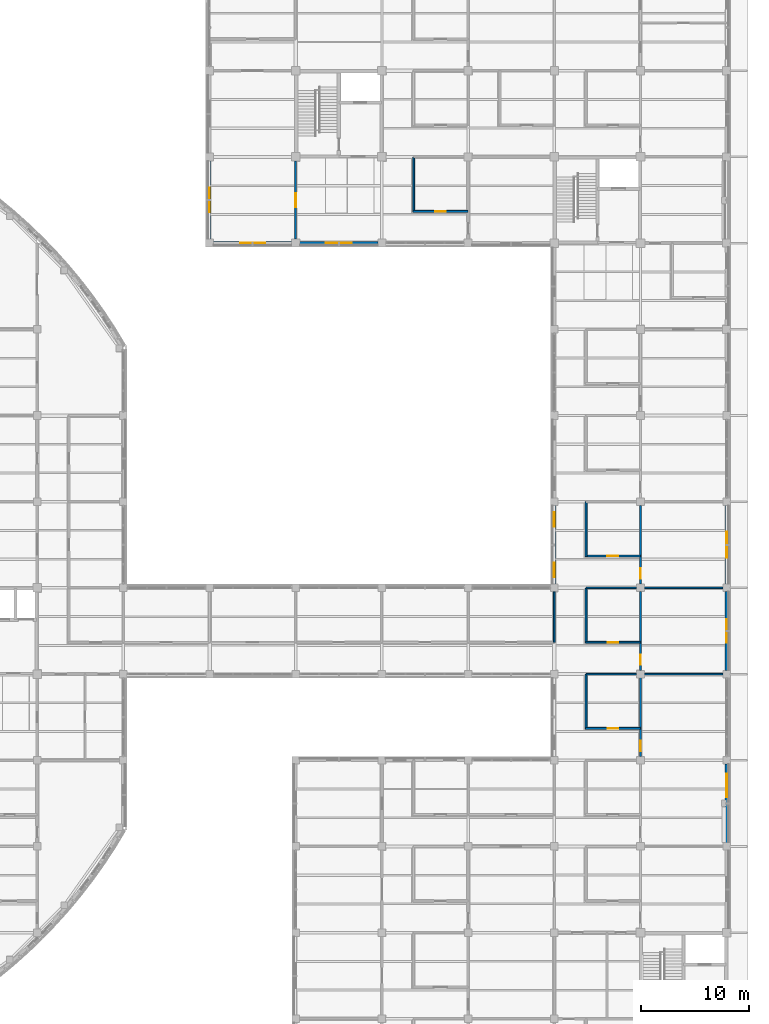
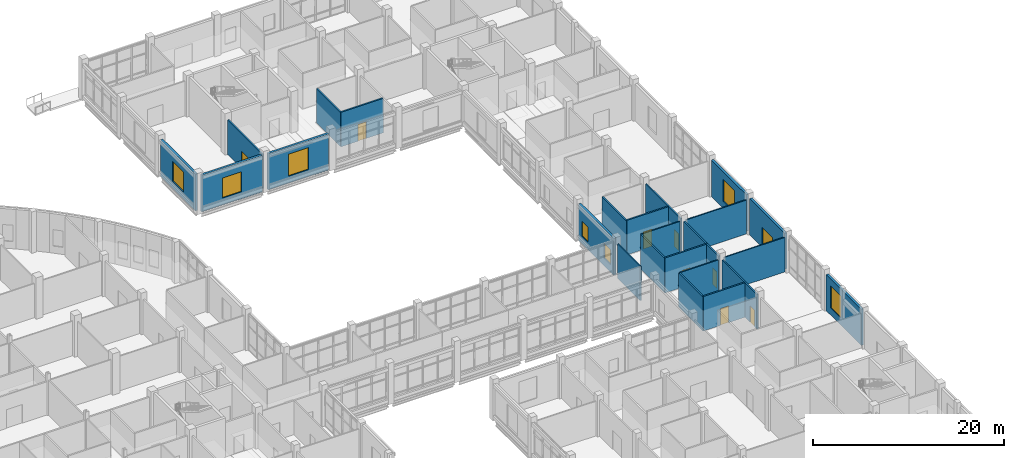
# One storey, part 78 of 105: 24 walls, 9 doors, 7 windows, 16 openings.
"""IFC4 building model written with IfcOpenShell, lengths in metres."""

from ifc_helpers import new_model, si_unit, derived_unit, direction, frame, frame_2d, origin, place, context, subcontext, project, spatial, rectangle, extrude, material, layer, layer_set, type_object, element, fill, save


model = new_model("IFC4")

# Units and contexts
model_context = context("Model", 3, precision=1e-05, world=origin(), true_north=direction((0.0, 1.0)))
body_context = subcontext(model_context, "Body", "Model", "MODEL_VIEW")
ifc_project = project(units=[si_unit("LENGTHUNIT", "METRE"), si_unit("AREAUNIT", "SQUARE_METRE"), si_unit("VOLUMEUNIT", "CUBIC_METRE"), si_unit("PLANEANGLEUNIT", "RADIAN"), si_unit("MASSUNIT", "GRAM", prefix="KILO"), derived_unit("THERMALTRANSMITTANCEUNIT", [(si_unit("MASSUNIT", "GRAM", prefix="KILO"), 1), (si_unit("TIMEUNIT", "SECOND"), -3), (si_unit("THERMODYNAMICTEMPERATUREUNIT", "KELVIN"), -1)])], contexts=[model_context])

# Site, building, storey
site_placement = place(None, origin())
site = spatial("IfcSite", under=ifc_project, at=site_placement, CompositionType="ELEMENT")
building_placement = place(site_placement, origin())
building = spatial("IfcBuilding", under=site, at=building_placement, Name="Veyamyaing Civic Hall", CompositionType="ELEMENT")
storey_placement = place(building_placement, origin())
storey = spatial("IfcBuildingStorey", under=building, at=storey_placement, Name="L00", CompositionType="ELEMENT", Elevation=0.0)

# Wall, opening, window
ifc_material_1 = material(Name="Precast concrete C40/50", Category="concrete")
ifc_layer_1 = layer(ifc_material_1, 0.280029296875, Name="Precast concrete C40/50")
ifc_layer_set_1 = layer_set([ifc_layer_1], Name="Precast concrete C40/50")
wall_type_1 = type_object("IfcWallType", Name="WT-04", PredefinedType="SOLIDWALL", material=ifc_layer_set_1)
wall_1_placement = place(storey_placement, frame((128.360107421875, 88.0, 0.0), z_axis=(0.0, 0.0, 1.0), x_axis=(1.0, 0.0, 0.0)))
wall_1 = element("IfcWall", 1, at=wall_1_placement, inside=storey, type_object=wall_type_1, Name="Exterior facade wall WT-04 L00 S 17.12", PredefinedType="SOLIDWALL", context=body_context, shape_type="SweptSolid", body=[
    extrude(rectangle(XDim=7.27978515625, YDim=0.280029296875, at=frame_2d((3.639892578125, 0.0))), origin(), (0.0, 0.0, 1.0), 4.677001953125),
])
opening_1_placement = place(wall_1_placement, frame((2.489990234375, 0.0, 0.89990234375)))
opening_1 = element("IfcOpeningElement", 2, at=opening_1_placement, cuts=wall_1, Name="Opening W-25", PredefinedType="OPENING", context=body_context, shape_type="SweptSolid", body=[
    extrude(rectangle(XDim=2.300048828125, YDim=2.550048828125, at=frame_2d((1.14990234375, 1.27490234375))), frame((0.0, 0.14990234375, 0.0), z_axis=(0.0, -1.0, 0.0), x_axis=(1.0, 0.0, 0.0)), (0.0, 0.0, 1.0), 0.300048828125),
])
ifc_material_2 = material(Name="Low-E insulated glass", Category="glass")
window_type_1 = type_object("IfcWindowType", Name="W-25", PartitioningType="SINGLE_PANEL", PredefinedType="WINDOW", material=ifc_material_2)
window_1_placement = place(opening_1_placement, origin())
window_1 = element("IfcWindow", 3, at=window_1_placement, inside=storey, type_object=window_type_1, Name="Facade window W-25 L00 S 17.12", OverallHeight=2.550048828125, OverallWidth=2.300048828125, PartitioningType="SINGLE_PANEL", PredefinedType="WINDOW", context=body_context, shape_type="SweptSolid", body=[
    extrude(rectangle(XDim=2.300048828125, YDim=2.550048828125, at=frame_2d((1.14990234375, 1.27490234375))), frame((0.0, 0.030029296875, 0.0), z_axis=(0.0, -1.0, 0.0), x_axis=(1.0, 0.0, 0.0)), (0.0, 0.0, 1.0), 0.06005859375),
])
fill(opening_1, window_1)

wall_2_placement = place(storey_placement, frame((128.0, 88.360107421875, 0.0), z_axis=(0.0, 0.0, 1.0), x_axis=(0.0, 1.0, 0.0)))
wall_2 = element("IfcWall", 4, at=wall_2_placement, inside=storey, type_object=wall_type_1, Name="Exterior facade wall WT-04 L00 W 17.12", PredefinedType="SOLIDWALL", context=body_context, shape_type="SweptSolid", body=[
    extrude(rectangle(XDim=7.27978515625, YDim=0.280029296875, at=frame_2d((3.639892578125, 0.0))), origin(), (0.0, 0.0, 1.0), 4.677001953125),
])
opening_2_placement = place(wall_2_placement, frame((2.489990234375, 0.0, 0.89990234375)))
opening_2 = element("IfcOpeningElement", 5, at=opening_2_placement, cuts=wall_2, Name="Opening W-25", PredefinedType="OPENING", context=body_context, shape_type="SweptSolid", body=[
    extrude(rectangle(XDim=2.300048828125, YDim=2.550048828125, at=frame_2d((1.14990234375, 1.27490234375))), frame((0.0, 0.14990234375, 0.0), z_axis=(0.0, -1.0, 0.0), x_axis=(1.0, 0.0, 0.0)), (0.0, 0.0, 1.0), 0.300048828125),
])
window_2_placement = place(opening_2_placement, origin())
window_2 = element("IfcWindow", 6, at=window_2_placement, inside=storey, type_object=window_type_1, Name="Facade window W-25 L00 W 17.12", OverallHeight=2.550048828125, OverallWidth=2.300048828125, PartitioningType="SINGLE_PANEL", PredefinedType="WINDOW", context=body_context, shape_type="SweptSolid", body=[
    extrude(rectangle(XDim=2.300048828125, YDim=2.550048828125, at=frame_2d((1.14990234375, 1.27490234375))), frame((0.0, 0.030029296875, 0.0), z_axis=(0.0, -1.0, 0.0), x_axis=(1.0, 0.0, 0.0)), (0.0, 0.0, 1.0), 0.06005859375),
])
fill(opening_2, window_2)

wall_3_placement = place(storey_placement, frame((136.360107421875, 88.0, 0.0), z_axis=(0.0, 0.0, 1.0), x_axis=(1.0, 0.0, 0.0)))
wall_3 = element("IfcWall", 7, at=wall_3_placement, inside=storey, type_object=wall_type_1, Name="Exterior facade wall WT-04 L00 S 18.12", PredefinedType="SOLIDWALL", context=body_context, shape_type="SweptSolid", body=[
    extrude(rectangle(XDim=7.27978515625, YDim=0.280029296875, at=frame_2d((3.639892578125, 0.0))), origin(), (0.0, 0.0, 1.0), 4.610107421875),
])
opening_3_placement = place(wall_3_placement, frame((2.43994140625, 0.0, 0.89990234375)))
opening_3 = element("IfcOpeningElement", 8, at=opening_3_placement, cuts=wall_3, Name="Opening W-01", PredefinedType="OPENING", context=body_context, shape_type="SweptSolid", body=[
    extrude(rectangle(XDim=2.39990234375, YDim=2.800048828125, at=frame_2d((1.199951171875, 1.39990234375))), frame((0.0, 0.14990234375, 0.0), z_axis=(0.0, -1.0, 0.0), x_axis=(1.0, 0.0, 0.0)), (0.0, 0.0, 1.0), 0.300048828125),
])
window_type_2 = type_object("IfcWindowType", Name="W-01", PartitioningType="SINGLE_PANEL", PredefinedType="WINDOW", material=ifc_material_2)
window_3_placement = place(opening_3_placement, origin())
window_3 = element("IfcWindow", 9, at=window_3_placement, inside=storey, type_object=window_type_2, Name="Facade window W-01 L00 S 18.12", OverallHeight=2.800048828125, OverallWidth=2.39990234375, PartitioningType="SINGLE_PANEL", PredefinedType="WINDOW", context=body_context, shape_type="SweptSolid", body=[
    extrude(rectangle(XDim=2.39990234375, YDim=2.800048828125, at=frame_2d((1.199951171875, 1.39990234375))), frame((0.0, 0.030029296875, 0.0), z_axis=(0.0, -1.0, 0.0), x_axis=(1.0, 0.0, 0.0)), (0.0, 0.0, 1.0), 0.06005859375),
])
fill(opening_3, window_3)

# Wall, openings, windows
wall_4_placement = place(storey_placement, frame((160.0, 56.3349609375, 0.0), z_axis=(0.0, 0.0, 1.0), x_axis=(0.0, 1.0, 0.0)))
wall_4 = element("IfcWall", 10, at=wall_4_placement, inside=storey, type_object=wall_type_1, Name="Exterior facade wall WT-04 L00 W 21.8", PredefinedType="SOLIDWALL", context=body_context, shape_type="SweptSolid", body=[
    extrude(rectangle(XDim=7.330078125, YDim=0.280029296875, at=frame_2d((3.6650390625, 0.0))), origin(), (0.0, 0.0, 1.0), 4.681884765625),
])
opening_4_placement = place(wall_4_placement, frame((0.644287109375, 0.0, 0.949951171875)))
opening_4 = element("IfcOpeningElement", 11, at=opening_4_placement, cuts=wall_4, Name="Opening W-13", PredefinedType="OPENING", context=body_context, shape_type="SweptSolid", body=[
    extrude(rectangle(XDim=1.35009765625, YDim=1.89990234375, at=frame_2d((0.675048828125, 0.949951171875))), frame((0.0, 0.14990234375, 0.0), z_axis=(0.0, -1.0, 0.0), x_axis=(1.0, 0.0, 0.0)), (0.0, 0.0, 1.0), 0.300048828125),
])
opening_5_placement = place(wall_4_placement, frame((5.335693359375, 0.0, 0.949951171875)))
opening_5 = element("IfcOpeningElement", 12, at=opening_5_placement, cuts=wall_4, Name="Opening W-13", PredefinedType="OPENING", context=body_context, shape_type="SweptSolid", body=[
    extrude(rectangle(XDim=1.35009765625, YDim=1.89990234375, at=frame_2d((0.675048828125, 0.949951171875))), frame((0.0, 0.14990234375, 0.0), z_axis=(0.0, -1.0, 0.0), x_axis=(1.0, 0.0, 0.0)), (0.0, 0.0, 1.0), 0.300048828125),
])
window_type_3 = type_object("IfcWindowType", Name="W-13", PartitioningType="SINGLE_PANEL", PredefinedType="WINDOW", material=ifc_material_2)
window_4_placement = place(opening_4_placement, origin())
window_4 = element("IfcWindow", 13, at=window_4_placement, inside=storey, type_object=window_type_3, Name="Facade window W-13 L00 W 21.8.1", OverallHeight=1.89990234375, OverallWidth=1.35009765625, PartitioningType="SINGLE_PANEL", PredefinedType="WINDOW", context=body_context, shape_type="SweptSolid", body=[
    extrude(rectangle(XDim=1.35009765625, YDim=1.89990234375, at=frame_2d((0.675048828125, 0.949951171875))), frame((0.0, 0.030029296875, 0.0), z_axis=(0.0, -1.0, 0.0), x_axis=(1.0, 0.0, 0.0)), (0.0, 0.0, 1.0), 0.06005859375),
])
fill(opening_4, window_4)
window_5_placement = place(opening_5_placement, origin())
window_5 = element("IfcWindow", 14, at=window_5_placement, inside=storey, type_object=window_type_3, Name="Facade window W-13 L00 W 21.8.2", OverallHeight=1.89990234375, OverallWidth=1.35009765625, PartitioningType="SINGLE_PANEL", PredefinedType="WINDOW", context=body_context, shape_type="SweptSolid", body=[
    extrude(rectangle(XDim=1.35009765625, YDim=1.89990234375, at=frame_2d((0.675048828125, 0.949951171875))), frame((0.0, 0.030029296875, 0.0), z_axis=(0.0, -1.0, 0.0), x_axis=(1.0, 0.0, 0.0)), (0.0, 0.0, 1.0), 0.06005859375),
])
fill(opening_5, window_5)

# Wall, opening, door
wall_5_placement = place(storey_placement, frame((176.0, 48.3349609375, 0.0), z_axis=(0.0, 0.0, 1.0), x_axis=(0.0, 1.0, 0.0)))
wall_5 = element("IfcWall", 15, at=wall_5_placement, inside=storey, type_object=wall_type_1, Name="Exterior facade wall WT-04 L00 E 22.7", PredefinedType="SOLIDWALL", context=body_context, shape_type="SweptSolid", body=[
    extrude(rectangle(XDim=7.330078125, YDim=0.280029296875, at=frame_2d((3.6650390625, 0.0))), origin(), (0.0, 0.0, 1.0), 4.610107421875),
])
opening_6_placement = place(wall_5_placement, frame((2.56494140625, 0.0, 0.0)))
opening_6 = element("IfcOpeningElement", 16, at=opening_6_placement, cuts=wall_5, Name="Opening D-01", PredefinedType="OPENING", context=body_context, shape_type="SweptSolid", body=[
    extrude(rectangle(XDim=2.199951171875, YDim=2.5, at=frame_2d((1.10009765625, 1.25))), frame((0.0, 0.14990234375, 0.0), z_axis=(0.0, -1.0, 0.0), x_axis=(1.0, 0.0, 0.0)), (0.0, 0.0, 1.0), 0.300048828125),
])
ifc_material_3 = material(Name="Anodised aluminium 6063-T6", Category="aluminium")
door_type_1 = type_object("IfcDoorType", Name="D-01", OperationType="DOUBLE_DOOR_SINGLE_SWING", PredefinedType="DOOR", material=ifc_material_3)
door_1_placement = place(opening_6_placement, frame((2.199951171875, 0.0, 0.0), z_axis=(0.0, 0.0, 1.0), x_axis=(-1.0, 0.0, 0.0)))
door_1 = element("IfcDoor", 17, at=door_1_placement, inside=storey, type_object=door_type_1, Name="Main pedestrian final exit EX-17", OperationType="DOUBLE_DOOR_SINGLE_SWING", OverallHeight=2.5, OverallWidth=2.199951171875, PredefinedType="DOOR", context=body_context, shape_type="SweptSolid", body=[
    extrude(rectangle(XDim=2.199951171875, YDim=2.5, at=frame_2d((1.10009765625, 1.25))), frame((0.0, 0.02490234375, 0.0), z_axis=(0.0, -1.0, 0.0), x_axis=(1.0, 0.0, 0.0)), (0.0, 0.0, 1.0), 0.050048828125),
])
fill(opening_6, door_1)

# Wall, opening, window
wall_6_placement = place(storey_placement, frame((176.0, 56.3349609375, 0.0), z_axis=(0.0, 0.0, 1.0), x_axis=(0.0, 1.0, 0.0)))
wall_6 = element("IfcWall", 18, at=wall_6_placement, inside=storey, type_object=wall_type_1, Name="Exterior facade wall WT-04 L00 E 22.8", PredefinedType="SOLIDWALL", context=body_context, shape_type="SweptSolid", body=[
    extrude(rectangle(XDim=7.330078125, YDim=0.280029296875, at=frame_2d((3.6650390625, 0.0))), origin(), (0.0, 0.0, 1.0), 4.674072265625),
])
opening_7_placement = place(wall_6_placement, frame((2.465087890625, 0.0, 0.89990234375)))
opening_7 = element("IfcOpeningElement", 19, at=opening_7_placement, cuts=wall_6, Name="Opening W-01", PredefinedType="OPENING", context=body_context, shape_type="SweptSolid", body=[
    extrude(rectangle(XDim=2.39990234375, YDim=2.800048828125, at=frame_2d((1.199951171875, 1.39990234375))), frame((0.0, 0.14990234375, 0.0), z_axis=(0.0, -1.0, 0.0), x_axis=(1.0, 0.0, 0.0)), (0.0, 0.0, 1.0), 0.300048828125),
])
window_6_placement = place(opening_7_placement, origin())
window_6 = element("IfcWindow", 20, at=window_6_placement, inside=storey, type_object=window_type_2, Name="Facade window W-01 L00 E 22.8", OverallHeight=2.800048828125, OverallWidth=2.39990234375, PartitioningType="SINGLE_PANEL", PredefinedType="WINDOW", context=body_context, shape_type="SweptSolid", body=[
    extrude(rectangle(XDim=2.39990234375, YDim=2.800048828125, at=frame_2d((1.199951171875, 1.39990234375))), frame((0.0, 0.030029296875, 0.0), z_axis=(0.0, -1.0, 0.0), x_axis=(1.0, 0.0, 0.0)), (0.0, 0.0, 1.0), 0.06005859375),
])
fill(opening_7, window_6)

# Wall, opening, door
ifc_material_4 = material(Name="Gypsum board on acoustic steel stud", Category="steel")
ifc_layer_2 = layer(ifc_material_4, 0.175048828125, Name="Gypsum board on acoustic steel stud")
ifc_layer_set_2 = layer_set([ifc_layer_2], Name="Gypsum board on acoustic steel stud")
wall_type_2 = type_object("IfcWallType", Name="WT-07", PredefinedType="PARTITIONING", material=ifc_layer_set_2)
wall_7_placement = place(storey_placement, frame((146.89990234375, 90.949951171875, 0.0), z_axis=(0.0, 0.0, 1.0), x_axis=(1.0, 0.0, 0.0)))
wall_7 = element("IfcWall", 21, at=wall_7_placement, inside=storey, type_object=wall_type_2, Name="Corridor gallery partition WT-07 L00.61.1", PredefinedType="PARTITIONING", context=body_context, shape_type="SweptSolid", body=[
    extrude(rectangle(XDim=5.080078125, YDim=0.175048828125, at=frame_2d((2.5400390625, 0.0))), origin(), (0.0, 0.0, 1.0), 4.404052734375),
])
opening_8_placement = place(wall_7_placement, frame((2.050048828125, 0.0, 0.0)))
opening_8 = element("IfcOpeningElement", 22, at=opening_8_placement, cuts=wall_7, Name="Opening D-14", PredefinedType="OPENING", context=body_context, shape_type="SweptSolid", body=[
    extrude(rectangle(XDim=0.97998046875, YDim=2.14990234375, at=frame_2d((0.489990234375, 1.074951171875))), frame((0.0, 0.097412109375, 0.0), z_axis=(0.0, -1.0, 0.0), x_axis=(1.0, 0.0, 0.0)), (0.0, 0.0, 1.0), 0.195068359375),
])
ifc_material_5 = material(Name="Teak-veneered acoustic timber", Category="wood")
door_type_2 = type_object("IfcDoorType", Name="D-14", OperationType="NOTDEFINED", PredefinedType="DOOR", material=ifc_material_5)
door_2_placement = place(opening_8_placement, origin())
door_2 = element("IfcDoor", 23, at=door_2_placement, inside=storey, type_object=door_type_2, Name="Gallery office door D-14 L00.61", OperationType="SINGLE_SWING_RIGHT", OverallHeight=2.14990234375, OverallWidth=0.97998046875, PredefinedType="DOOR", context=body_context, shape_type="SweptSolid", body=[
    extrude(rectangle(XDim=0.97998046875, YDim=2.14990234375, at=frame_2d((0.489990234375, 1.074951171875))), frame((0.0, 0.02490234375, 0.0), z_axis=(0.0, -1.0, 0.0), x_axis=(1.0, 0.0, 0.0)), (0.0, 0.0, 1.0), 0.050048828125),
])
fill(opening_8, door_2)

# Wall
wall_8_placement = place(storey_placement, frame((146.949951171875, 90.89990234375, 0.0), z_axis=(0.0, 0.0, 1.0), x_axis=(0.0, 1.0, 0.0)))
element("IfcWall", 24, at=wall_8_placement, inside=storey, type_object=wall_type_2, Name="Corridor gallery partition WT-07 L00.61.2", PredefinedType="PARTITIONING", context=body_context, shape_type="SweptSolid", body=[
    extrude(rectangle(XDim=5.080078125, YDim=0.175048828125, at=frame_2d((2.5400390625, 0.0))), origin(), (0.0, 0.0, 1.0), 4.3359375),
])

# Wall, opening, door
wall_9_placement = place(storey_placement, frame((162.89990234375, 50.949951171875, 0.0), z_axis=(0.0, 0.0, 1.0), x_axis=(1.0, 0.0, 0.0)))
wall_9 = element("IfcWall", 25, at=wall_9_placement, inside=storey, type_object=wall_type_2, Name="Corridor gallery partition WT-07 L00.71.1", PredefinedType="PARTITIONING", context=body_context, shape_type="SweptSolid", body=[
    extrude(rectangle(XDim=5.080078125, YDim=0.175048828125, at=frame_2d((2.5400390625, 0.0))), origin(), (0.0, 0.0, 1.0), 4.470947265625),
])
opening_9_placement = place(wall_9_placement, frame((2.050048828125, 0.0, 0.0)))
opening_9 = element("IfcOpeningElement", 26, at=opening_9_placement, cuts=wall_9, Name="Opening D-14", PredefinedType="OPENING", context=body_context, shape_type="SweptSolid", body=[
    extrude(rectangle(XDim=0.97998046875, YDim=2.14990234375, at=frame_2d((0.489990234375, 1.074951171875))), frame((0.0, 0.097412109375, 0.0), z_axis=(0.0, -1.0, 0.0), x_axis=(1.0, 0.0, 0.0)), (0.0, 0.0, 1.0), 0.195068359375),
])
door_3_placement = place(opening_9_placement, origin())
door_3 = element("IfcDoor", 27, at=door_3_placement, inside=storey, type_object=door_type_2, Name="Gallery office door D-14 L00.71", OperationType="SINGLE_SWING_RIGHT", OverallHeight=2.14990234375, OverallWidth=0.97998046875, PredefinedType="DOOR", context=body_context, shape_type="SweptSolid", body=[
    extrude(rectangle(XDim=0.97998046875, YDim=2.14990234375, at=frame_2d((0.489990234375, 1.074951171875))), frame((0.0, 0.02490234375, 0.0), z_axis=(0.0, -1.0, 0.0), x_axis=(1.0, 0.0, 0.0)), (0.0, 0.0, 1.0), 0.050048828125),
])
fill(opening_9, door_3)

# Wall
wall_10_placement = place(storey_placement, frame((162.949951171875, 50.89990234375, 0.0), z_axis=(0.0, 0.0, 1.0), x_axis=(0.0, 1.0, 0.0)))
element("IfcWall", 28, at=wall_10_placement, inside=storey, type_object=wall_type_2, Name="Corridor gallery partition WT-07 L00.71.2", PredefinedType="PARTITIONING", context=body_context, shape_type="SweptSolid", body=[
    extrude(rectangle(XDim=5.080078125, YDim=0.175048828125, at=frame_2d((2.5400390625, 0.0))), origin(), (0.0, 0.0, 1.0), 4.404052734375),
])

# Wall, opening, door
wall_11_placement = place(storey_placement, frame((168.0, 40.340087890625, 0.0), z_axis=(0.0, 0.0, 1.0), x_axis=(0.0, 1.0, 0.0)))
wall_11 = element("IfcWall", 29, at=wall_11_placement, inside=storey, type_object=wall_type_2, Name="Interior partition wall WT-07 L00.149", PredefinedType="PARTITIONING", context=body_context, shape_type="SweptSolid", body=[
    extrude(rectangle(XDim=7.31982421875, YDim=0.175048828125, at=frame_2d((3.659912109375, 0.0))), origin(), (0.0, 0.0, 1.0), 4.404052734375),
])
opening_10_placement = place(wall_11_placement, frame((0.52001953125, 0.0, 0.0)))
opening_10 = element("IfcOpeningElement", 30, at=opening_10_placement, cuts=wall_11, Name="Opening D-30", PredefinedType="OPENING", context=body_context, shape_type="SweptSolid", body=[
    extrude(rectangle(XDim=0.93994140625, YDim=2.1201171875, at=frame_2d((0.469970703125, 1.06005859375))), frame((0.0, 0.097412109375, 0.0), z_axis=(0.0, -1.0, 0.0), x_axis=(1.0, 0.0, 0.0)), (0.0, 0.0, 1.0), 0.195068359375),
])
door_type_3 = type_object("IfcDoorType", Name="D-30", OperationType="NOTDEFINED", PredefinedType="DOOR", material=ifc_material_5)
door_4_placement = place(opening_10_placement, frame((0.93994140625, 0.0, 0.0), z_axis=(0.0, 0.0, 1.0), x_axis=(-1.0, 0.0, 0.0)))
door_4 = element("IfcDoor", 31, at=door_4_placement, inside=storey, type_object=door_type_3, Name="Interior door D-30 L00.149", OperationType="SINGLE_SWING_LEFT", OverallHeight=2.1201171875, OverallWidth=0.93994140625, PredefinedType="DOOR", context=body_context, shape_type="SweptSolid", body=[
    extrude(rectangle(XDim=0.93994140625, YDim=2.1201171875, at=frame_2d((0.469970703125, 1.06005859375))), frame((0.0, 0.02490234375, 0.0), z_axis=(0.0, -1.0, 0.0), x_axis=(1.0, 0.0, 0.0)), (0.0, 0.0, 1.0), 0.050048828125),
])
fill(opening_10, door_4)

wall_12_placement = place(storey_placement, frame((168.0, 56.340087890625, 0.0), z_axis=(0.0, 0.0, 1.0), x_axis=(0.0, 1.0, 0.0)))
wall_12 = element("IfcWall", 32, at=wall_12_placement, inside=storey, type_object=wall_type_2, Name="Interior partition wall WT-07 L00.151", PredefinedType="PARTITIONING", context=body_context, shape_type="SweptSolid", body=[
    extrude(rectangle(XDim=7.31982421875, YDim=0.175048828125, at=frame_2d((3.659912109375, 0.0))), origin(), (0.0, 0.0, 1.0), 4.403076171875),
])
opening_11_placement = place(wall_12_placement, frame((0.52001953125, 0.0, 0.0)))
opening_11 = element("IfcOpeningElement", 33, at=opening_11_placement, cuts=wall_12, Name="Opening D-30", PredefinedType="OPENING", context=body_context, shape_type="SweptSolid", body=[
    extrude(rectangle(XDim=0.93994140625, YDim=2.1201171875, at=frame_2d((0.469970703125, 1.06005859375))), frame((0.0, 0.097412109375, 0.0), z_axis=(0.0, -1.0, 0.0), x_axis=(1.0, 0.0, 0.0)), (0.0, 0.0, 1.0), 0.195068359375),
])
door_5_placement = place(opening_11_placement, frame((0.93994140625, 0.0, 0.0), z_axis=(0.0, 0.0, 1.0), x_axis=(-1.0, 0.0, 0.0)))
door_5 = element("IfcDoor", 34, at=door_5_placement, inside=storey, type_object=door_type_3, Name="Interior door D-30 L00.151", OperationType="SINGLE_SWING_LEFT", OverallHeight=2.1201171875, OverallWidth=0.93994140625, PredefinedType="DOOR", context=body_context, shape_type="SweptSolid", body=[
    extrude(rectangle(XDim=0.93994140625, YDim=2.1201171875, at=frame_2d((0.469970703125, 1.06005859375))), frame((0.0, 0.02490234375, 0.0), z_axis=(0.0, -1.0, 0.0), x_axis=(1.0, 0.0, 0.0)), (0.0, 0.0, 1.0), 0.050048828125),
])
fill(opening_11, door_5)

# Walls
ifc_material_6 = material(Name="Gypsum board on steel stud", Category="steel")
ifc_layer_3 = layer(ifc_material_6, 0.14990234375, Name="Gypsum board on steel stud")
ifc_layer_set_3 = layer_set([ifc_layer_3], Name="Gypsum board on steel stud")
wall_type_3 = type_object("IfcWallType", Name="WT-08", PredefinedType="PARTITIONING", material=ifc_layer_set_3)
wall_13_placement = place(storey_placement, frame((160.0, 50.949951171875, 0.0), z_axis=(0.0, 0.0, 1.0), x_axis=(0.0, 1.0, 0.0)))
element("IfcWall", 35, at=wall_13_placement, inside=storey, type_object=wall_type_3, Name="Gallery office end partition WT-08 L00.65.2", PredefinedType="PARTITIONING", context=body_context, shape_type="SweptSolid", body=[
    extrude(rectangle(XDim=4.68994140625, YDim=0.14990234375, at=frame_2d((2.344970703125, 0.0))), origin(), (0.0, 0.0, 1.0), 4.404052734375),
])
wall_14_placement = place(storey_placement, frame((162.949951171875, 48.0, 0.0), z_axis=(0.0, 0.0, 1.0), x_axis=(1.0, 0.0, 0.0)))
element("IfcWall", 36, at=wall_14_placement, inside=storey, type_object=wall_type_3, Name="Gallery office end partition WT-08 L00.70.1", PredefinedType="PARTITIONING", context=body_context, shape_type="SweptSolid", body=[
    extrude(rectangle(XDim=4.68994140625, YDim=0.14990234375, at=frame_2d((2.344970703125, 0.0))), origin(), (0.0, 0.0, 1.0), 4.3359375),
])
wall_15_placement = place(storey_placement, frame((162.949951171875, 56.0, 0.0), z_axis=(0.0, 0.0, 1.0), x_axis=(1.0, 0.0, 0.0)))
element("IfcWall", 37, at=wall_15_placement, inside=storey, type_object=wall_type_3, Name="Gallery office end partition WT-08 L00.71.1", PredefinedType="PARTITIONING", context=body_context, shape_type="SweptSolid", body=[
    extrude(rectangle(XDim=4.68994140625, YDim=0.14990234375, at=frame_2d((2.344970703125, 0.0))), origin(), (0.0, 0.0, 1.0), 4.404052734375),
])
wall_16_placement = place(storey_placement, frame((168.340087890625, 56.0, 0.0), z_axis=(0.0, 0.0, 1.0), x_axis=(1.0, 0.0, 0.0)))
element("IfcWall", 38, at=wall_16_placement, inside=storey, type_object=wall_type_3, Name="Interior partition wall WT-08 L00.159", PredefinedType="PARTITIONING", context=body_context, shape_type="SweptSolid", body=[
    extrude(rectangle(XDim=7.31982421875, YDim=0.14990234375, at=frame_2d((3.659912109375, 0.0))), origin(), (0.0, 0.0, 1.0), 4.326904296875),
])

# Wall, opening, window
ifc_layer_4 = layer(ifc_material_1, 0.27001953125, Name="Precast concrete C40/50")
ifc_layer_set_4 = layer_set([ifc_layer_4], Name="Precast concrete C40/50")
wall_type_4 = type_object("IfcWallType", Name="WT-18", PredefinedType="SOLIDWALL", material=ifc_layer_set_4)
wall_17_placement = place(storey_placement, frame((176.0, 32.3349609375, 0.0), z_axis=(0.0, 0.0, 1.0), x_axis=(0.0, 1.0, 0.0)))
wall_17 = element("IfcWall", 39, at=wall_17_placement, inside=storey, type_object=wall_type_4, Name="Exterior facade wall WT-18 L00 E 22.5", PredefinedType="SOLIDWALL", context=body_context, shape_type="SweptSolid", body=[
    extrude(rectangle(XDim=7.330078125, YDim=0.27001953125, at=frame_2d((3.6650390625, 0.0))), origin(), (0.0, 0.0, 1.0), 4.614013671875),
])
opening_12_placement = place(wall_17_placement, frame((4.25, 0.0, 0.89990234375)))
opening_12 = element("IfcOpeningElement", 40, at=opening_12_placement, cuts=wall_17, Name="Opening W-02", PredefinedType="OPENING", context=body_context, shape_type="SweptSolid", body=[
    extrude(rectangle(XDim=2.14990234375, YDim=2.800048828125, at=frame_2d((1.074951171875, 1.39990234375))), frame((0.0, 0.14501953125, 0.0), z_axis=(0.0, -1.0, 0.0), x_axis=(1.0, 0.0, 0.0)), (0.0, 0.0, 1.0), 0.2900390625),
])
window_type_4 = type_object("IfcWindowType", Name="W-02", PartitioningType="SINGLE_PANEL", PredefinedType="WINDOW", material=ifc_material_2)
window_7_placement = place(opening_12_placement, origin())
window_7 = element("IfcWindow", 41, at=window_7_placement, inside=storey, type_object=window_type_4, Name="Facade window W-02 L00 E 22.5", OverallHeight=2.800048828125, OverallWidth=2.14990234375, PartitioningType="SINGLE_PANEL", PredefinedType="WINDOW", context=body_context, shape_type="SweptSolid", body=[
    extrude(rectangle(XDim=2.14990234375, YDim=2.800048828125, at=frame_2d((1.074951171875, 1.39990234375))), frame((0.0, 0.030029296875, 0.0), z_axis=(0.0, -1.0, 0.0), x_axis=(1.0, 0.0, 0.0)), (0.0, 0.0, 1.0), 0.06005859375),
])
fill(opening_12, window_7)

# Wall, opening, door
ifc_material_7 = material(Name="Gypsum board on double acoustic stud")
ifc_layer_5 = layer(ifc_material_7, 0.18505859375, Name="Gypsum board on double acoustic stud")
ifc_layer_set_5 = layer_set([ifc_layer_5], Name="Gypsum board on double acoustic stud")
wall_type_5 = type_object("IfcWallType", Name="WT-19", PredefinedType="PARTITIONING", material=ifc_layer_set_5)
wall_18_placement = place(storey_placement, frame((162.89990234375, 42.949951171875, 0.0), z_axis=(0.0, 0.0, 1.0), x_axis=(1.0, 0.0, 0.0)))
wall_18 = element("IfcWall", 42, at=wall_18_placement, inside=storey, type_object=wall_type_5, Name="Corridor gallery partition WT-19 L00.70.1", PredefinedType="PARTITIONING", context=body_context, shape_type="SweptSolid", body=[
    extrude(rectangle(XDim=5.080078125, YDim=0.18505859375, at=frame_2d((2.5400390625, 0.0))), origin(), (0.0, 0.0, 1.0), 4.404052734375),
])
opening_13_placement = place(wall_18_placement, frame((2.0400390625, 0.0, 0.0)))
opening_13 = element("IfcOpeningElement", 43, at=opening_13_placement, cuts=wall_18, Name="Opening D-13", PredefinedType="OPENING", context=body_context, shape_type="SweptSolid", body=[
    extrude(rectangle(XDim=1.0, YDim=2.14990234375, at=frame_2d((0.5, 1.074951171875))), frame((0.0, 0.1025390625, 0.0), z_axis=(0.0, -1.0, 0.0), x_axis=(1.0, 0.0, 0.0)), (0.0, 0.0, 1.0), 0.205078125),
])
door_type_4 = type_object("IfcDoorType", Name="D-13", OperationType="NOTDEFINED", PredefinedType="DOOR", material=ifc_material_5)
door_6_placement = place(opening_13_placement, origin())
door_6 = element("IfcDoor", 44, at=door_6_placement, inside=storey, type_object=door_type_4, Name="Gallery office door D-13 L00.70", OperationType="SINGLE_SWING_LEFT", OverallHeight=2.14990234375, OverallWidth=1.0, PredefinedType="DOOR", context=body_context, shape_type="SweptSolid", body=[
    extrude(rectangle(XDim=1.0, YDim=2.14990234375, at=frame_2d((0.5, 1.074951171875))), frame((0.0, 0.02490234375, 0.0), z_axis=(0.0, -1.0, 0.0), x_axis=(1.0, 0.0, 0.0)), (0.0, 0.0, 1.0), 0.050048828125),
])
fill(opening_13, door_6)

# Wall
wall_19_placement = place(storey_placement, frame((162.949951171875, 42.89990234375, 0.0), z_axis=(0.0, 0.0, 1.0), x_axis=(0.0, 1.0, 0.0)))
element("IfcWall", 45, at=wall_19_placement, inside=storey, type_object=wall_type_5, Name="Corridor gallery partition WT-19 L00.70.2", PredefinedType="PARTITIONING", context=body_context, shape_type="SweptSolid", body=[
    extrude(rectangle(XDim=5.080078125, YDim=0.18505859375, at=frame_2d((2.5400390625, 0.0))), origin(), (0.0, 0.0, 1.0), 4.3359375),
])

# Wall, opening, door
wall_20_placement = place(storey_placement, frame((162.89990234375, 58.949951171875, 0.0), z_axis=(0.0, 0.0, 1.0), x_axis=(1.0, 0.0, 0.0)))
wall_20 = element("IfcWall", 46, at=wall_20_placement, inside=storey, type_object=wall_type_5, Name="Corridor gallery partition WT-19 L00.72.1", PredefinedType="PARTITIONING", context=body_context, shape_type="SweptSolid", body=[
    extrude(rectangle(XDim=5.080078125, YDim=0.18505859375, at=frame_2d((2.5400390625, 0.0))), origin(), (0.0, 0.0, 1.0), 4.403076171875),
])
opening_14_placement = place(wall_20_placement, frame((2.030029296875, 0.0, 0.0)))
opening_14 = element("IfcOpeningElement", 47, at=opening_14_placement, cuts=wall_20, Name="Opening D-19", PredefinedType="OPENING", context=body_context, shape_type="SweptSolid", body=[
    extrude(rectangle(XDim=1.02001953125, YDim=2.199951171875, at=frame_2d((0.510009765625, 1.10009765625))), frame((0.0, 0.1025390625, 0.0), z_axis=(0.0, -1.0, 0.0), x_axis=(1.0, 0.0, 0.0)), (0.0, 0.0, 1.0), 0.205078125),
])
door_type_5 = type_object("IfcDoorType", Name="D-19", OperationType="NOTDEFINED", PredefinedType="DOOR", material=ifc_material_5)
door_7_placement = place(opening_14_placement, origin())
door_7 = element("IfcDoor", 48, at=door_7_placement, inside=storey, type_object=door_type_5, Name="Gallery office door D-19 L00.72", OperationType="SINGLE_SWING_LEFT", OverallHeight=2.199951171875, OverallWidth=1.02001953125, PredefinedType="DOOR", context=body_context, shape_type="SweptSolid", body=[
    extrude(rectangle(XDim=1.02001953125, YDim=2.199951171875, at=frame_2d((0.510009765625, 1.10009765625))), frame((0.0, 0.02490234375, 0.0), z_axis=(0.0, -1.0, 0.0), x_axis=(1.0, 0.0, 0.0)), (0.0, 0.0, 1.0), 0.050048828125),
])
fill(opening_14, door_7)

# Wall
wall_21_placement = place(storey_placement, frame((162.949951171875, 58.89990234375, 0.0), z_axis=(0.0, 0.0, 1.0), x_axis=(0.0, 1.0, 0.0)))
element("IfcWall", 49, at=wall_21_placement, inside=storey, type_object=wall_type_5, Name="Corridor gallery partition WT-19 L00.72.2", PredefinedType="PARTITIONING", context=body_context, shape_type="SweptSolid", body=[
    extrude(rectangle(XDim=5.080078125, YDim=0.18505859375, at=frame_2d((2.5400390625, 0.0))), origin(), (0.0, 0.0, 1.0), 4.33203125),
])

# Wall, opening, door
wall_22_placement = place(storey_placement, frame((136.0, 88.364990234375, 0.0), z_axis=(0.0, 0.0, 1.0), x_axis=(0.0, 1.0, 0.0)))
wall_22 = element("IfcWall", 50, at=wall_22_placement, inside=storey, type_object=wall_type_5, Name="Interior partition wall WT-19 L00.122", PredefinedType="PARTITIONING", context=body_context, shape_type="SweptSolid", body=[
    extrude(rectangle(XDim=7.2451171875, YDim=0.18505859375, at=frame_2d((3.62255859375, 0.0))), origin(), (0.0, 0.0, 1.0), 4.403076171875),
])
opening_15_placement = place(wall_22_placement, frame((2.972412109375, 0.0, 0.0)))
opening_15 = element("IfcOpeningElement", 51, at=opening_15_placement, cuts=wall_22, Name="Opening D-18", PredefinedType="OPENING", context=body_context, shape_type="SweptSolid", body=[
    extrude(rectangle(XDim=1.300048828125, YDim=2.199951171875, at=frame_2d((0.64990234375, 1.10009765625))), frame((0.0, 0.1025390625, 0.0), z_axis=(0.0, -1.0, 0.0), x_axis=(1.0, 0.0, 0.0)), (0.0, 0.0, 1.0), 0.205078125),
])
door_type_6 = type_object("IfcDoorType", Name="D-18", OperationType="DOUBLE_DOOR_SINGLE_SWING", PredefinedType="DOOR", material=ifc_material_3)
door_8_placement = place(opening_15_placement, origin())
door_8 = element("IfcDoor", 52, at=door_8_placement, inside=storey, type_object=door_type_6, Name="Interior door D-18 L00.122", OperationType="DOUBLE_DOOR_SINGLE_SWING", OverallHeight=2.199951171875, OverallWidth=1.300048828125, PredefinedType="DOOR", context=body_context, shape_type="SweptSolid", body=[
    extrude(rectangle(XDim=1.300048828125, YDim=2.199951171875, at=frame_2d((0.64990234375, 1.10009765625))), frame((0.0, 0.02490234375, 0.0), z_axis=(0.0, -1.0, 0.0), x_axis=(1.0, 0.0, 0.0)), (0.0, 0.0, 1.0), 0.050048828125),
])
fill(opening_15, door_8)

wall_23_placement = place(storey_placement, frame((168.0, 48.340087890625, 0.0), z_axis=(0.0, 0.0, 1.0), x_axis=(0.0, 1.0, 0.0)))
wall_23 = element("IfcWall", 53, at=wall_23_placement, inside=storey, type_object=wall_type_5, Name="Interior partition wall WT-19 L00.150", PredefinedType="PARTITIONING", context=body_context, shape_type="SweptSolid", body=[
    extrude(rectangle(XDim=7.31982421875, YDim=0.18505859375, at=frame_2d((3.659912109375, 0.0))), origin(), (0.0, 0.0, 1.0), 4.470947265625),
])
opening_16_placement = place(wall_23_placement, frame((0.52001953125, 0.0, 0.0)))
opening_16 = element("IfcOpeningElement", 54, at=opening_16_placement, cuts=wall_23, Name="Opening D-30", PredefinedType="OPENING", context=body_context, shape_type="SweptSolid", body=[
    extrude(rectangle(XDim=0.93994140625, YDim=2.1201171875, at=frame_2d((0.469970703125, 1.06005859375))), frame((0.0, 0.1025390625, 0.0), z_axis=(0.0, -1.0, 0.0), x_axis=(1.0, 0.0, 0.0)), (0.0, 0.0, 1.0), 0.205078125),
])
door_9_placement = place(opening_16_placement, frame((0.93994140625, 0.0, 0.0), z_axis=(0.0, 0.0, 1.0), x_axis=(-1.0, 0.0, 0.0)))
door_9 = element("IfcDoor", 55, at=door_9_placement, inside=storey, type_object=door_type_3, Name="Interior door D-30 L00.150", OperationType="SINGLE_SWING_RIGHT", OverallHeight=2.1201171875, OverallWidth=0.93994140625, PredefinedType="DOOR", context=body_context, shape_type="SweptSolid", body=[
    extrude(rectangle(XDim=0.93994140625, YDim=2.1201171875, at=frame_2d((0.469970703125, 1.06005859375))), frame((0.0, 0.02490234375, 0.0), z_axis=(0.0, -1.0, 0.0), x_axis=(1.0, 0.0, 0.0)), (0.0, 0.0, 1.0), 0.050048828125),
])
fill(opening_16, door_9)

# Wall
ifc_layer_6 = layer(ifc_material_6, 0.14208984375, Name="Gypsum board on steel stud")
ifc_layer_set_6 = layer_set([ifc_layer_6], Name="Gypsum board on steel stud")
wall_type_6 = type_object("IfcWallType", Name="WT-20", PredefinedType="PARTITIONING", material=ifc_layer_set_6)
wall_24_placement = place(storey_placement, frame((168.340087890625, 48.0, 0.0), z_axis=(0.0, 0.0, 1.0), x_axis=(1.0, 0.0, 0.0)))
element("IfcWall", 56, at=wall_24_placement, inside=storey, type_object=wall_type_6, Name="Interior partition wall WT-20 L00.158", PredefinedType="PARTITIONING", context=body_context, shape_type="SweptSolid", body=[
    extrude(rectangle(XDim=7.31982421875, YDim=0.14208984375, at=frame_2d((3.659912109375, 0.0))), origin(), (0.0, 0.0, 1.0), 4.404052734375),
])

save(model, "model.ifc")
